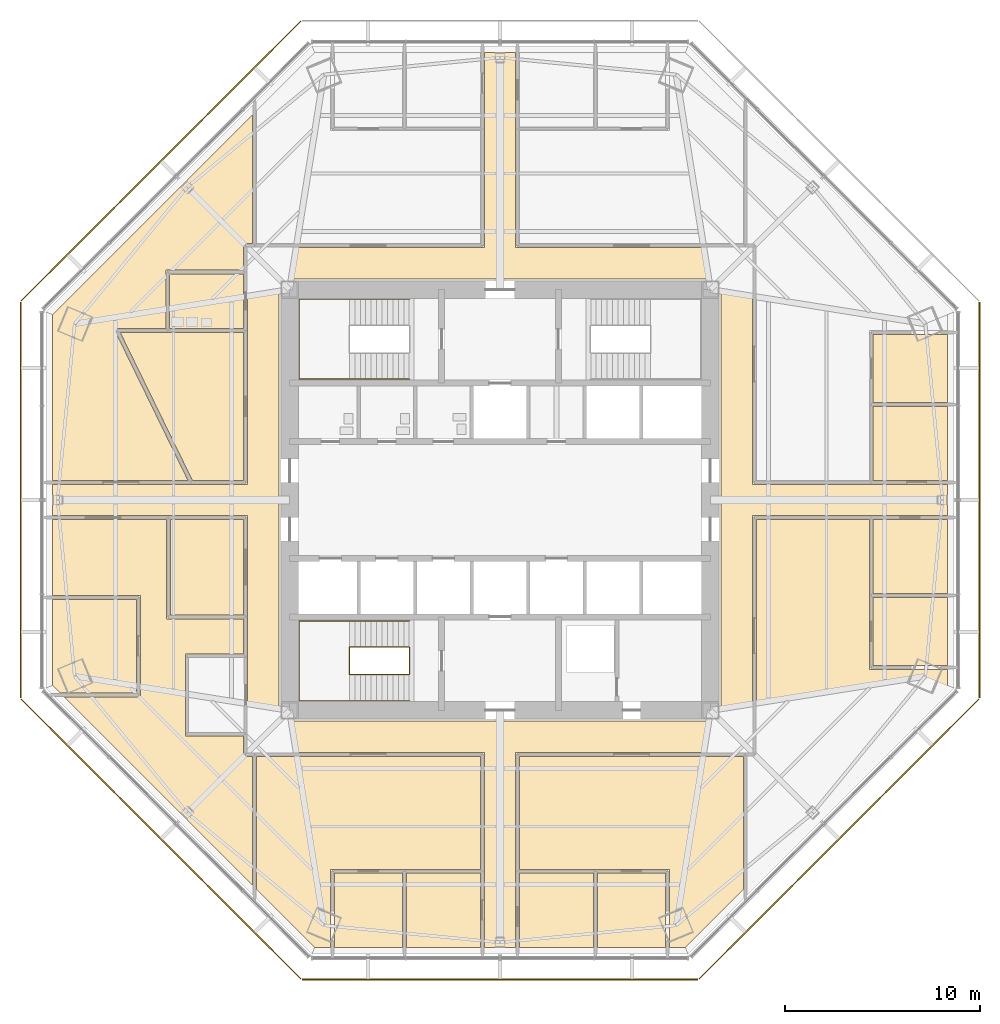
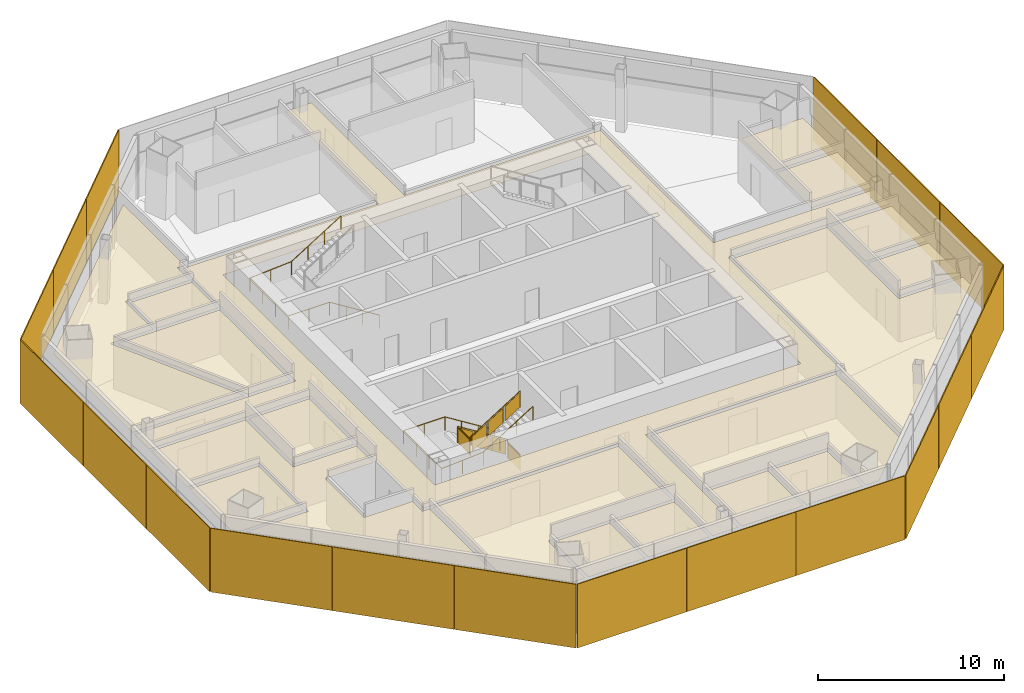
# One storey, part 13 of 15: 18 coverings, 18 shading devices, 3 railings.
"""IFC4 building model written with IfcOpenShell, lengths in metres."""

from ifc_helpers import new_model, si_unit, direction, frame, origin, origin_2d, place, context, subcontext, project, spatial, polyline, rectangle, circle, outline, extrude, source, transform, mapped, material, layer, layer_set, type_object, type_shapes, element, save


model = new_model("IFC4")

# Units and contexts
model_context = context("Model", 3, precision=1e-05, world=origin(), true_north=direction((0.0, 1.0)))
body_context = subcontext(model_context, "Body", "Model", "MODEL_VIEW")
ifc_project = project(units=[si_unit("LENGTHUNIT", "METRE"), si_unit("AREAUNIT", "SQUARE_METRE"), si_unit("VOLUMEUNIT", "CUBIC_METRE"), si_unit("PLANEANGLEUNIT", "RADIAN"), si_unit("MASSUNIT", "GRAM", prefix="KILO")], contexts=[model_context])

# Site, building, storey
site_placement = place(None, origin())
site = spatial("IfcSite", under=ifc_project, at=site_placement, CompositionType="ELEMENT")
building_placement = place(site_placement, origin())
building = spatial("IfcBuilding", under=site, at=building_placement, Name="Mashrafa Tower", CompositionType="ELEMENT")
storey_placement = place(building_placement, frame((0.0, 0.0, 159.60009765625)))
storey = spatial("IfcBuildingStorey", under=building, at=storey_placement, Name="L36", CompositionType="ELEMENT", Elevation=159.60009765625)

# Railings
ifc_material_1 = material(Name="Steel guard with glass infill", Category="steel")
railing_type_1 = type_object("IfcRailingType", Name="Stair guard 1100", PredefinedType="GUARDRAIL", material=ifc_material_1)
railing_1_placement = place(storey_placement, frame((-4.64990234375, -8.949951171875, 0.0)))
element("IfcRailing", 1, at=railing_1_placement, inside=storey, type_object=railing_type_1, Name="Stair S3 guard L36", PredefinedType="GUARDRAIL", context=body_context, shape_type="SweptSolid", body=[
    extrude(circle(Radius=0.02392578125, at=origin_2d()), frame((0.0, 0.0, 1.076171875), z_axis=(0.0, 1.0, 0.0), x_axis=(-1.0, 0.0, 0.0)), (0.0, 0.0, 1.0), 1.39990234375),
    extrude(circle(Radius=0.02392578125, at=origin_2d()), frame((0.0, 1.39990234375, 1.076171875), z_axis=(0.0, 0.0, 1.0), x_axis=(1.0, 0.0, 0.0)), (0.0, 0.0, 1.0), 0.1748046875),
    extrude(circle(Radius=0.02392578125, at=origin_2d()), frame((0.0, 1.39990234375, 1.2509765625), z_axis=(-0.847998304005, 0.0, 0.529998940003), x_axis=(0.0, -1.0, 0.0)), (0.0, 0.0, 1.0), 3.632080078125),
    extrude(circle(Radius=0.02392578125, at=origin_2d()), frame((-3.080078125, 1.39990234375, 3.17578125), z_axis=(0.0, -1.0, 0.0), x_axis=(1.0, 0.0, 0.0)), (0.0, 0.0, 1.0), 1.39990234375),
    extrude(circle(Radius=0.02392578125, at=origin_2d()), frame((-3.080078125, 0.0, 3.17578125), z_axis=(0.0, 0.0, 1.0), x_axis=(1.0, 0.0, 0.0)), (0.0, 0.0, 1.0), 0.175048828125),
    extrude(circle(Radius=0.02392578125, at=origin_2d()), frame((-3.080078125, 0.0, 3.35107421875), z_axis=(0.847998304005, 0.0, 0.529998940003), x_axis=(0.0, 1.0, 0.0)), (0.0, 0.0, 1.0), 3.632080078125),
    extrude(circle(Radius=0.02099609375, at=origin_2d()), origin(), (0.0, 0.0, 1.0), 1.052001953125),
    extrude(circle(Radius=0.02099609375, at=origin_2d()), frame((0.0, 1.39990234375, 0.0)), (0.0, 0.0, 1.0), 1.052001953125),
    extrude(circle(Radius=0.02099609375, at=origin_2d()), frame((0.0, 1.39990234375, 0.1748046875)), (0.0, 0.0, 1.0), 1.052001953125),
    extrude(circle(Radius=0.02099609375, at=origin_2d()), frame((-1.026611328125, 1.39990234375, 0.81640625)), (0.0, 0.0, 1.0), 1.052001953125),
    extrude(circle(Radius=0.02099609375, at=origin_2d()), frame((-2.053466796875, 1.39990234375, 1.458251953125)), (0.0, 0.0, 1.0), 1.052001953125),
    extrude(circle(Radius=0.02099609375, at=origin_2d()), frame((-3.080078125, 1.39990234375, 2.099853515625)), (0.0, 0.0, 1.0), 1.052001953125),
    extrude(circle(Radius=0.02099609375, at=origin_2d()), frame((-3.080078125, 0.0, 2.099853515625)), (0.0, 0.0, 1.0), 1.052001953125),
    extrude(circle(Radius=0.02099609375, at=origin_2d()), frame((-3.080078125, 0.0, 2.27490234375)), (0.0, 0.0, 1.0), 1.052001953125),
    extrude(circle(Radius=0.02099609375, at=origin_2d()), frame((-2.053466796875, 0.0, 2.91650390625)), (0.0, 0.0, 1.0), 1.052001953125),
    extrude(circle(Radius=0.02099609375, at=origin_2d()), frame((-1.026611328125, 0.0, 3.558349609375)), (0.0, 0.0, 1.0), 1.052001953125),
    extrude(circle(Radius=0.02099609375, at=origin_2d()), frame((0.0, 0.0, 4.199951171875)), (0.0, 0.0, 1.0), 1.052001953125),
    extrude(outline(polyline([(0.071044921875, 0.050048828125), (1.328857421875, 0.050048828125), (1.328857421875, 1.001953125), (0.071044921875, 1.001953125), (0.071044921875, 0.050048828125)])), frame((0.006103515625, 0.0, 0.0), z_axis=(1.0, 0.0, 0.0), x_axis=(0.0, 1.0, 0.0)), (0.0, 0.0, 1.0), 0.011962890625),
    extrude(outline(polyline([(0.071044921875, 0.094482421875), (0.955810546875, 0.647216796875), (0.955810546875, 1.599365234375), (0.071044921875, 1.04638671875), (0.071044921875, 0.094482421875)])), frame((0.0, 1.406005859375, 0.1748046875), z_axis=(0.0, 1.0, 0.0), x_axis=(-1.0, 0.0, 0.0)), (0.0, 0.0, 1.0), 0.011962890625),
    extrude(outline(polyline([(1.09765625, 0.736083984375), (1.982421875, 1.2890625), (1.982421875, 2.240966796875), (1.09765625, 1.68798828125), (1.09765625, 0.736083984375)])), frame((0.0, 1.406005859375, 0.1748046875), z_axis=(0.0, 1.0, 0.0), x_axis=(-1.0, 0.0, 0.0)), (0.0, 0.0, 1.0), 0.011962890625),
    extrude(outline(polyline([(2.124267578125, 1.377685546875), (3.009033203125, 1.9306640625), (3.009033203125, 2.882568359375), (2.124267578125, 2.329833984375), (2.124267578125, 1.377685546875)])), frame((0.0, 1.406005859375, 0.1748046875), z_axis=(0.0, 1.0, 0.0), x_axis=(-1.0, 0.0, 0.0)), (0.0, 0.0, 1.0), 0.011962890625),
    extrude(outline(polyline([(0.071044921875, 0.050048828125), (1.328857421875, 0.050048828125), (1.328857421875, 1.001953125), (0.071044921875, 1.001953125), (0.071044921875, 0.050048828125)])), frame((-3.086181640625, 1.39990234375, 2.099853515625), z_axis=(-1.0, 0.0, 0.0), x_axis=(0.0, -1.0, 0.0)), (0.0, 0.0, 1.0), 0.011962890625),
    extrude(outline(polyline([(0.071044921875, 0.094482421875), (0.955810546875, 0.647216796875), (0.955810546875, 1.599365234375), (0.071044921875, 1.04638671875), (0.071044921875, 0.094482421875)])), frame((-3.080078125, -0.006103515625, 2.27490234375), z_axis=(0.0, -1.0, 0.0), x_axis=(1.0, 0.0, 0.0)), (0.0, 0.0, 1.0), 0.011962890625),
    extrude(outline(polyline([(1.09765625, 0.736083984375), (1.982421875, 1.2890625), (1.982421875, 2.240966796875), (1.09765625, 1.68798828125), (1.09765625, 0.736083984375)])), frame((-3.080078125, -0.006103515625, 2.27490234375), z_axis=(0.0, -1.0, 0.0), x_axis=(1.0, 0.0, 0.0)), (0.0, 0.0, 1.0), 0.011962890625),
    extrude(outline(polyline([(2.124267578125, 1.377685546875), (3.009033203125, 1.9306640625), (3.009033203125, 2.882568359375), (2.124267578125, 2.329833984375), (2.124267578125, 1.377685546875)])), frame((-3.080078125, -0.006103515625, 2.27490234375), z_axis=(0.0, -1.0, 0.0), x_axis=(1.0, 0.0, 0.0)), (0.0, 0.0, 1.0), 0.011962890625),
])
ifc_material_2 = material(Name="Steel", Category="steel")
railing_type_2 = type_object("IfcRailingType", Name="Stair handrail 900", PredefinedType="HANDRAIL", material=ifc_material_2)
railing_2_placement = place(storey_placement, frame((-4.64990234375, 6.199951171875, 0.1748046875)))
element("IfcRailing", 2, at=railing_2_placement, inside=storey, type_object=railing_type_2, Name="Stair S1 handrail L36", PredefinedType="HANDRAIL", context=body_context, shape_type="SweptSolid", body=[
    extrude(circle(Radius=0.02392578125, at=origin_2d()), frame((0.0, 0.0, 0.8759765625), z_axis=(-0.847998304005, 0.0, 0.529998940003), x_axis=(0.0, -1.0, 0.0)), (0.0, 0.0, 1.0), 3.632080078125),
    extrude(circle(Radius=0.02392578125, at=origin_2d()), frame((-3.080078125, 0.0, 2.80078125), z_axis=(-1.0, 0.0, 0.0), x_axis=(0.0, -1.0, 0.0)), (0.0, 0.0, 1.0), 2.570068359375),
    extrude(circle(Radius=0.02392578125, at=origin_2d()), frame((-5.650146484375, 0.0, 2.80078125), z_axis=(0.0, 1.0, 0.0), x_axis=(-1.0, 0.0, 0.0)), (0.0, 0.0, 1.0), 4.10009765625),
    extrude(circle(Radius=0.02392578125, at=origin_2d()), frame((-5.650146484375, 4.10009765625, 2.80078125), z_axis=(0.997688514158, 0.0, 0.067953136188), x_axis=(0.0, 1.0, 0.0)), (0.0, 0.0, 1.0), 2.575927734375),
    extrude(circle(Radius=0.02392578125, at=origin_2d()), frame((-3.080078125, 4.10009765625, 2.97607421875), z_axis=(0.847998304005, 0.0, 0.529998940003), x_axis=(0.0, 1.0, 0.0)), (0.0, 0.0, 1.0), 3.632080078125),
    extrude(circle(Radius=0.02099609375, at=origin_2d()), origin(), (0.0, 0.0, 1.0), 0.851806640625),
    extrude(circle(Radius=0.02099609375, at=origin_2d()), frame((-1.026611328125, 0.0, 0.6416015625)), (0.0, 0.0, 1.0), 0.851806640625),
    extrude(circle(Radius=0.02099609375, at=origin_2d()), frame((-2.053466796875, 0.0, 1.283447265625)), (0.0, 0.0, 1.0), 0.851806640625),
    extrude(circle(Radius=0.02099609375, at=origin_2d()), frame((-3.080078125, 0.0, 1.925048828125)), (0.0, 0.0, 1.0), 0.851806640625),
    extrude(circle(Radius=0.02099609375, at=origin_2d()), frame((-4.365234375, 0.0, 1.925048828125)), (0.0, 0.0, 1.0), 0.851806640625),
    extrude(circle(Radius=0.02099609375, at=origin_2d()), frame((-5.650146484375, 0.0, 1.925048828125)), (0.0, 0.0, 1.0), 0.851806640625),
    extrude(circle(Radius=0.02099609375, at=origin_2d()), frame((-5.650146484375, 1.36669921875, 1.925048828125)), (0.0, 0.0, 1.0), 0.851806640625),
    extrude(circle(Radius=0.02099609375, at=origin_2d()), frame((-5.650146484375, 2.7333984375, 1.925048828125)), (0.0, 0.0, 1.0), 0.851806640625),
    extrude(circle(Radius=0.02099609375, at=origin_2d()), frame((-5.650146484375, 4.10009765625, 1.925048828125)), (0.0, 0.0, 1.0), 0.851806640625),
    extrude(circle(Radius=0.02099609375, at=origin_2d()), frame((-4.365234375, 4.10009765625, 2.0126953125)), (0.0, 0.0, 1.0), 0.851806640625),
    extrude(circle(Radius=0.02099609375, at=origin_2d()), frame((-3.080078125, 4.10009765625, 2.10009765625)), (0.0, 0.0, 1.0), 0.851806640625),
    extrude(circle(Radius=0.02099609375, at=origin_2d()), frame((-2.053466796875, 4.10009765625, 2.74169921875)), (0.0, 0.0, 1.0), 0.851806640625),
    extrude(circle(Radius=0.02099609375, at=origin_2d()), frame((-1.026611328125, 4.10009765625, 3.383544921875)), (0.0, 0.0, 1.0), 0.851806640625),
    extrude(circle(Radius=0.02099609375, at=origin_2d()), frame((0.0, 4.10009765625, 4.025146484375)), (0.0, 0.0, 1.0), 0.851806640625),
])
railing_3_placement = place(storey_placement, frame((-4.64990234375, -6.199951171875, 0.1748046875)))
element("IfcRailing", 3, at=railing_3_placement, inside=storey, type_object=railing_type_2, Name="Stair S3 handrail L36", PredefinedType="HANDRAIL", context=body_context, shape_type="SweptSolid", body=[
    extrude(circle(Radius=0.02392578125, at=origin_2d()), frame((0.0, 0.0, 0.8759765625), z_axis=(-0.847998304005, 0.0, 0.529998940003), x_axis=(0.0, -1.0, 0.0)), (0.0, 0.0, 1.0), 3.632080078125),
    extrude(circle(Radius=0.02392578125, at=origin_2d()), frame((-3.080078125, 0.0, 2.80078125), z_axis=(-1.0, 0.0, 0.0), x_axis=(0.0, -1.0, 0.0)), (0.0, 0.0, 1.0), 2.570068359375),
    extrude(circle(Radius=0.02392578125, at=origin_2d()), frame((-5.650146484375, 0.0, 2.80078125), z_axis=(0.0, -1.0, 0.0), x_axis=(1.0, 0.0, 0.0)), (0.0, 0.0, 1.0), 4.10009765625),
    extrude(circle(Radius=0.02392578125, at=origin_2d()), frame((-5.650146484375, -4.10009765625, 2.80078125), z_axis=(0.997688514158, 0.0, 0.067953136188), x_axis=(0.0, 1.0, 0.0)), (0.0, 0.0, 1.0), 2.575927734375),
    extrude(circle(Radius=0.02392578125, at=origin_2d()), frame((-3.080078125, -4.10009765625, 2.97607421875), z_axis=(0.847998304005, 0.0, 0.529998940003), x_axis=(0.0, 1.0, 0.0)), (0.0, 0.0, 1.0), 3.632080078125),
    extrude(circle(Radius=0.02099609375, at=origin_2d()), origin(), (0.0, 0.0, 1.0), 0.851806640625),
    extrude(circle(Radius=0.02099609375, at=origin_2d()), frame((-1.026611328125, 0.0, 0.6416015625)), (0.0, 0.0, 1.0), 0.851806640625),
    extrude(circle(Radius=0.02099609375, at=origin_2d()), frame((-2.053466796875, 0.0, 1.283447265625)), (0.0, 0.0, 1.0), 0.851806640625),
    extrude(circle(Radius=0.02099609375, at=origin_2d()), frame((-3.080078125, 0.0, 1.925048828125)), (0.0, 0.0, 1.0), 0.851806640625),
    extrude(circle(Radius=0.02099609375, at=origin_2d()), frame((-4.365234375, 0.0, 1.925048828125)), (0.0, 0.0, 1.0), 0.851806640625),
    extrude(circle(Radius=0.02099609375, at=origin_2d()), frame((-5.650146484375, 0.0, 1.925048828125)), (0.0, 0.0, 1.0), 0.851806640625),
    extrude(circle(Radius=0.02099609375, at=origin_2d()), frame((-5.650146484375, -1.36669921875, 1.925048828125)), (0.0, 0.0, 1.0), 0.851806640625),
    extrude(circle(Radius=0.02099609375, at=origin_2d()), frame((-5.650146484375, -2.7333984375, 1.925048828125)), (0.0, 0.0, 1.0), 0.851806640625),
    extrude(circle(Radius=0.02099609375, at=origin_2d()), frame((-5.650146484375, -4.10009765625, 1.925048828125)), (0.0, 0.0, 1.0), 0.851806640625),
    extrude(circle(Radius=0.02099609375, at=origin_2d()), frame((-4.365234375, -4.10009765625, 2.0126953125)), (0.0, 0.0, 1.0), 0.851806640625),
    extrude(circle(Radius=0.02099609375, at=origin_2d()), frame((-3.080078125, -4.10009765625, 2.10009765625)), (0.0, 0.0, 1.0), 0.851806640625),
    extrude(circle(Radius=0.02099609375, at=origin_2d()), frame((-2.053466796875, -4.10009765625, 2.74169921875)), (0.0, 0.0, 1.0), 0.851806640625),
    extrude(circle(Radius=0.02099609375, at=origin_2d()), frame((-1.026611328125, -4.10009765625, 3.383544921875)), (0.0, 0.0, 1.0), 0.851806640625),
    extrude(circle(Radius=0.02099609375, at=origin_2d()), frame((0.0, -4.10009765625, 4.025146484375)), (0.0, 0.0, 1.0), 0.851806640625),
])

# Coverings
ifc_material_3 = material(Name="Mineral fibre tile on suspension grid")
ifc_layer_1 = layer(ifc_material_3, 0.014892578125)
ifc_layer_set_1 = layer_set([ifc_layer_1], Name="Suspended ceiling mineral tile 15")
covering_type = type_object("IfcCoveringType", Name="Suspended ceiling mineral tile 15", PredefinedType="CEILING", material=ifc_layer_set_1)
covering_1_placement = place(storey_placement, frame((0.0, 0.0, 2.89990234375)))
element("IfcCovering", 4, at=covering_1_placement, inside=storey, type_object=covering_type, Name="Ceiling Office Corridor L36", PredefinedType="CEILING", context=body_context, shape_type="SweptSolid", body=[
    extrude(outline(polyline([(-12.949951171875, -12.949951171875), (-12.949951171875, -0.800048828125), (-22.949951171875, -0.800048828125), (-22.949951171875, 0.800048828125), (-12.949951171875, 0.800048828125), (-12.949951171875, 12.949951171875), (-0.800048828125, 12.949951171875), (-0.800048828125, 22.949951171875), (0.800048828125, 22.949951171875), (0.800048828125, 12.949951171875), (12.949951171875, 12.949951171875), (12.949951171875, 0.800048828125), (22.949951171875, 0.800048828125), (22.949951171875, -0.800048828125), (12.949951171875, -0.800048828125), (12.949951171875, -12.949951171875), (0.800048828125, -12.949951171875), (0.800048828125, -22.949951171875), (-0.800048828125, -22.949951171875), (-0.800048828125, -12.949951171875), (-12.949951171875, -12.949951171875)]), holes=[polyline([(11.35009765625, 11.35009765625), (-11.35009765625, 11.35009765625), (-11.35009765625, -11.35009765625), (11.35009765625, -11.35009765625), (11.35009765625, 11.35009765625)])]), origin(), (0.0, 0.0, 1.0), 0.014892578125),
])
covering_2_placement = place(storey_placement, frame((0.0, 0.0, 2.89990234375)))
element("IfcCovering", 5, at=covering_2_placement, inside=storey, type_object=covering_type, Name="Ceiling Musallah Prayer Room 36", PredefinedType="CEILING", context=body_context, shape_type="SweptSolid", body=[
    extrude(outline(polyline([(-15.783203125, 1.0), (-19.489990234375, 8.60009765625), (-13.14990234375, 8.60009765625), (-13.14990234375, 1.0), (-15.783203125, 1.0)])), origin(), (0.0, 0.0, 1.0), 0.014892578125),
])
covering_3_placement = place(storey_placement, frame((0.0, 0.0, 2.89990234375)))
element("IfcCovering", 6, at=covering_3_placement, inside=storey, type_object=covering_type, Name="Ceiling Ablution Room L36", PredefinedType="CEILING", context=body_context, shape_type="SweptSolid", body=[
    extrude(outline(polyline([(-16.949951171875, 8.800048828125), (-16.949951171875, 11.60009765625), (-13.14990234375, 11.60009765625), (-13.14990234375, 8.800048828125), (-16.949951171875, 8.800048828125)])), origin(), (0.0, 0.0, 1.0), 0.014892578125),
])
covering_4_placement = place(storey_placement, frame((0.0, 0.0, 2.89990234375)))
element("IfcCovering", 7, at=covering_4_placement, inside=storey, type_object=covering_type, Name="Ceiling Serviced Office 36-EA-1", PredefinedType="CEILING", context=body_context, shape_type="SweptSolid", body=[
    extrude(outline(polyline([(19.14990234375, 4.800048828125), (22.949951171875, 4.800048828125), (22.949951171875, 1.0), (19.14990234375, 1.0), (19.14990234375, 4.800048828125)])), origin(), (0.0, 0.0, 1.0), 0.014892578125),
])
covering_5_placement = place(storey_placement, frame((0.0, 0.0, 2.89990234375)))
element("IfcCovering", 8, at=covering_5_placement, inside=storey, type_object=covering_type, Name="Ceiling Serviced Office 36-NE1", PredefinedType="CEILING", context=body_context, shape_type="SweptSolid", body=[
    extrude(outline(polyline([(19.14990234375, 8.5), (22.949951171875, 8.5), (22.949951171875, 5.0), (19.14990234375, 5.0), (19.14990234375, 8.5)])), origin(), (0.0, 0.0, 1.0), 0.014892578125),
])
covering_6_placement = place(storey_placement, frame((0.0, 0.0, 2.89990234375)))
element("IfcCovering", 9, at=covering_6_placement, inside=storey, type_object=covering_type, Name="Ceiling Serviced Office 36-SE1", PredefinedType="CEILING", context=body_context, shape_type="SweptSolid", body=[
    extrude(outline(polyline([(19.14990234375, -5.0), (22.949951171875, -5.0), (22.949951171875, -8.5), (19.14990234375, -8.5), (19.14990234375, -5.0)])), origin(), (0.0, 0.0, 1.0), 0.014892578125),
])
covering_7_placement = place(storey_placement, frame((0.0, 0.0, 2.89990234375)))
element("IfcCovering", 10, at=covering_7_placement, inside=storey, type_object=covering_type, Name="Ceiling Serviced Office 36-EB-2", PredefinedType="CEILING", context=body_context, shape_type="SweptSolid", body=[
    extrude(outline(polyline([(19.14990234375, -1.0), (22.949951171875, -1.0), (22.949951171875, -4.800048828125), (19.14990234375, -4.800048828125), (19.14990234375, -1.0)])), origin(), (0.0, 0.0, 1.0), 0.014892578125),
])
covering_8_placement = place(storey_placement, frame((0.0, 0.0, 2.89990234375)))
element("IfcCovering", 11, at=covering_8_placement, inside=storey, type_object=covering_type, Name="Ceiling Serviced Office 36-SA-1", PredefinedType="CEILING", context=body_context, shape_type="SweptSolid", body=[
    extrude(outline(polyline([(1.0, -19.14990234375), (4.800048828125, -19.14990234375), (4.800048828125, -22.949951171875), (1.0, -22.949951171875), (1.0, -19.14990234375)])), origin(), (0.0, 0.0, 1.0), 0.014892578125),
])
covering_9_placement = place(storey_placement, frame((0.0, 0.0, 2.89990234375)))
element("IfcCovering", 12, at=covering_9_placement, inside=storey, type_object=covering_type, Name="Ceiling Serviced Office 36-SE2", PredefinedType="CEILING", context=body_context, shape_type="SweptSolid", body=[
    extrude(outline(polyline([(5.0, -19.14990234375), (8.5, -19.14990234375), (8.5, -22.949951171875), (5.0, -22.949951171875), (5.0, -19.14990234375)])), origin(), (0.0, 0.0, 1.0), 0.014892578125),
])
covering_10_placement = place(storey_placement, frame((0.0, 0.0, 2.89990234375)))
element("IfcCovering", 13, at=covering_10_placement, inside=storey, type_object=covering_type, Name="Ceiling Serviced Office 36-SW2", PredefinedType="CEILING", context=body_context, shape_type="SweptSolid", body=[
    extrude(outline(polyline([(-8.5, -19.14990234375), (-5.0, -19.14990234375), (-5.0, -22.949951171875), (-8.5, -22.949951171875), (-8.5, -19.14990234375)])), origin(), (0.0, 0.0, 1.0), 0.014892578125),
])
covering_11_placement = place(storey_placement, frame((0.0, 0.0, 2.89990234375)))
element("IfcCovering", 14, at=covering_11_placement, inside=storey, type_object=covering_type, Name="Ceiling Serviced Office 36-SB-2", PredefinedType="CEILING", context=body_context, shape_type="SweptSolid", body=[
    extrude(outline(polyline([(-4.800048828125, -19.14990234375), (-1.0, -19.14990234375), (-1.0, -22.949951171875), (-4.800048828125, -22.949951171875), (-4.800048828125, -19.14990234375)])), origin(), (0.0, 0.0, 1.0), 0.014892578125),
])
covering_12_placement = place(storey_placement, frame((0.0, 0.0, 2.89990234375)))
element("IfcCovering", 15, at=covering_12_placement, inside=storey, type_object=covering_type, Name="Ceiling Meeting Room 36-SW1", PredefinedType="CEILING", context=body_context, shape_type="SweptSolid", body=[
    extrude(outline(polyline([(-18.64990234375, -5.10009765625), (-18.64990234375, -9.89990234375), (-22.555908203125, -9.89990234375), (-22.949951171875, -9.506103515625), (-22.949951171875, -5.10009765625), (-18.64990234375, -5.10009765625)])), origin(), (0.0, 0.0, 1.0), 0.014892578125),
])
covering_13_placement = place(storey_placement, frame((0.0, 0.0, 2.89990234375)))
element("IfcCovering", 16, at=covering_13_placement, inside=storey, type_object=covering_type, Name="Ceiling Business Centre Reception 36", PredefinedType="CEILING", context=body_context, shape_type="SweptSolid", body=[
    extrude(outline(polyline([(-16.89990234375, -1.0), (-13.14990234375, -1.0), (-13.14990234375, -5.89990234375), (-16.89990234375, -5.89990234375), (-16.89990234375, -1.0)])), origin(), (0.0, 0.0, 1.0), 0.014892578125),
])
covering_14_placement = place(storey_placement, frame((0.0, 0.0, 2.89990234375)))
element("IfcCovering", 17, at=covering_14_placement, inside=storey, type_object=covering_type, Name="Ceiling Business Centre Suite 36-NW1", PredefinedType="CEILING", context=body_context, shape_type="SweptSolid", body=[
    extrude(outline(polyline([(-22.949951171875, 1.0), (-22.949951171875, 9.506103515625), (-12.699951171875, 19.756103515625), (-12.699951171875, 13.14990234375), (-13.14990234375, 13.14990234375), (-13.14990234375, 11.800048828125), (-17.14990234375, 11.800048828125), (-17.14990234375, 8.800048828125), (-19.81005859375, 8.800048828125), (-16.005615234375, 1.0), (-22.949951171875, 1.0)])), origin(), (0.0, 0.0, 1.0), 0.014892578125),
])
covering_15_placement = place(storey_placement, frame((0.0, 0.0, 2.89990234375)))
element("IfcCovering", 18, at=covering_15_placement, inside=storey, type_object=covering_type, Name="Ceiling Business Centre Suite 36-SW1", PredefinedType="CEILING", context=body_context, shape_type="SweptSolid", body=[
    extrude(outline(polyline([(-12.699951171875, -19.756103515625), (-22.35595703125, -10.10009765625), (-18.449951171875, -10.10009765625), (-18.449951171875, -4.89990234375), (-22.949951171875, -4.89990234375), (-22.949951171875, -1.0), (-17.10009765625, -1.0), (-17.10009765625, -6.10009765625), (-13.14990234375, -6.10009765625), (-13.14990234375, -7.89990234375), (-16.14990234375, -7.89990234375), (-16.14990234375, -12.10009765625), (-13.14990234375, -12.10009765625), (-13.14990234375, -13.14990234375), (-12.699951171875, -13.14990234375), (-12.699951171875, -19.756103515625)])), origin(), (0.0, 0.0, 1.0), 0.014892578125),
])
covering_16_placement = place(storey_placement, frame((0.0, 0.0, 2.89990234375)))
element("IfcCovering", 19, at=covering_16_placement, inside=storey, type_object=covering_type, Name="Ceiling Business Centre Lounge 36-SW2", PredefinedType="CEILING", context=body_context, shape_type="SweptSolid", body=[
    extrude(outline(polyline([(-8.699951171875, -22.949951171875), (-9.506103515625, -22.949951171875), (-12.5, -19.9560546875), (-12.5, -13.14990234375), (-1.0, -13.14990234375), (-1.0, -18.949951171875), (-8.699951171875, -18.949951171875), (-8.699951171875, -22.949951171875)])), origin(), (0.0, 0.0, 1.0), 0.014892578125),
])
covering_17_placement = place(storey_placement, frame((0.0, 0.0, 2.89990234375)))
element("IfcCovering", 20, at=covering_17_placement, inside=storey, type_object=covering_type, Name="Ceiling Business Centre Suite 36-SE1", PredefinedType="CEILING", context=body_context, shape_type="SweptSolid", body=[
    extrude(outline(polyline([(22.949951171875, -8.699951171875), (22.949951171875, -9.506103515625), (12.699951171875, -19.756103515625), (12.699951171875, -13.14990234375), (13.14990234375, -13.14990234375), (13.14990234375, -1.0), (18.949951171875, -1.0), (18.949951171875, -8.699951171875), (22.949951171875, -8.699951171875)])), origin(), (0.0, 0.0, 1.0), 0.014892578125),
])
covering_18_placement = place(storey_placement, frame((0.0, 0.0, 2.89990234375)))
element("IfcCovering", 21, at=covering_18_placement, inside=storey, type_object=covering_type, Name="Ceiling Business Centre Lounge 36-SE2", PredefinedType="CEILING", context=body_context, shape_type="SweptSolid", body=[
    extrude(outline(polyline([(12.5, -13.14990234375), (12.5, -19.9560546875), (9.506103515625, -22.949951171875), (8.699951171875, -22.949951171875), (8.699951171875, -18.949951171875), (1.0, -18.949951171875), (1.0, -13.14990234375), (12.5, -13.14990234375)])), origin(), (0.0, 0.0, 1.0), 0.014892578125),
])

# Shading devices
ifc_material_4 = material(Name="Perforated aluminium plate, eight-point star pattern", Category="aluminium")
ifc_layer_2 = layer(ifc_material_4, 0.06005859375)
ifc_layer_set_2 = layer_set([ifc_layer_2], Name="Mashrabiya screen panel office zone 2, 40 percent open")
shading_device_type = type_object("IfcShadingDeviceType", Name="Mashrabiya screen panel office zone 2, 40 percent open", PredefinedType="SHUTTER", material=ifc_layer_set_2)
shared_shape = source(origin(), body_context, "Body", "SweptSolid", [
    extrude(rectangle(XDim=6.758056640625, YDim=0.06005859375, at=origin_2d()), origin(), (0.0, 0.0, 1.0), 4.179931640625),
])
type_shapes(shading_device_type, [shared_shape])
for number, where, z_axis, x_axis, name in (
    (22, (24.599853515625, -6.778076171875, -0.14990234375), (0.0, 0.0, 1.0), (0.0, 1.0, 0.0), "Mashrabiya screen L36 east 1"),
    (23, (24.599853515625, 0.0, -0.14990234375), (0.0, 0.0, 1.0), (0.0, 1.0, 0.0), "Mashrabiya screen L36 east 2"),
    (24, (24.599853515625, 6.778076171875, -0.14990234375), (0.0, 0.0, 1.0), (0.0, 1.0, 0.0), "Mashrabiya screen L36 east 3"),
    (25, (-12.601806640625, 22.1875, -0.14990234375), (0.0, 0.0, 1.0), (-0.707106781187, -0.707106781187, 0.0), "Mashrabiya screen L36 north-west 1"),
    (26, (-17.394775390625, 17.394775390625, -0.14990234375), (0.0, 0.0, 1.0), (-0.707106781187, -0.707106781187, 0.0), "Mashrabiya screen L36 north-west 2"),
    (27, (-22.1875, 12.601806640625, -0.14990234375), (0.0, 0.0, 1.0), (-0.707106781187, -0.707106781187, 0.0), "Mashrabiya screen L36 north-west 3"),
    (28, (-24.599853515625, 6.778076171875, -0.14990234375), (0.0, 0.0, 1.0), (0.0, -1.0, 0.0), "Mashrabiya screen L36 west 1"),
    (29, (-24.599853515625, 0.0, -0.14990234375), (0.0, 0.0, 1.0), (0.0, -1.0, 0.0), "Mashrabiya screen L36 west 2"),
    (30, (-24.599853515625, -6.778076171875, -0.14990234375), (0.0, 0.0, 1.0), (0.0, -1.0, 0.0), "Mashrabiya screen L36 west 3"),
    (31, (-22.1875, -12.601806640625, -0.14990234375), (0.0, 0.0, 1.0), (0.707106781187, -0.707106781187, 0.0), "Mashrabiya screen L36 south-west 1"),
    (32, (-17.394775390625, -17.394775390625, -0.14990234375), (0.0, 0.0, 1.0), (0.707106781187, -0.707106781187, 0.0), "Mashrabiya screen L36 south-west 2"),
    (33, (-12.601806640625, -22.1875, -0.14990234375), (0.0, 0.0, 1.0), (0.707106781187, -0.707106781187, 0.0), "Mashrabiya screen L36 south-west 3"),
    (34, (-6.778076171875, -24.599853515625, -0.14990234375), (0.0, 0.0, 1.0), (1.0, 0.0, 0.0), "Mashrabiya screen L36 south 1"),
    (35, (0.0, -24.599853515625, -0.14990234375), (0.0, 0.0, 1.0), (1.0, 0.0, 0.0), "Mashrabiya screen L36 south 2"),
    (36, (6.778076171875, -24.599853515625, -0.14990234375), (0.0, 0.0, 1.0), (1.0, 0.0, 0.0), "Mashrabiya screen L36 south 3"),
    (37, (12.601806640625, -22.1875, -0.14990234375), (0.0, 0.0, 1.0), (0.707106781187, 0.707106781187, 0.0), "Mashrabiya screen L36 south-east 1"),
    (38, (17.394775390625, -17.394775390625, -0.14990234375), (0.0, 0.0, 1.0), (0.707106781187, 0.707106781187, 0.0), "Mashrabiya screen L36 south-east 2"),
    (39, (22.1875, -12.601806640625, -0.14990234375), (0.0, 0.0, 1.0), (0.707106781187, 0.707106781187, 0.0), "Mashrabiya screen L36 south-east 3"),
):
    element("IfcShadingDevice", number, at=place(storey_placement, frame(where, z_axis=z_axis, x_axis=x_axis)), inside=storey, type_object=shading_device_type, Name=name, PredefinedType="SHUTTER", context=body_context, shape_type="MappedRepresentation", body=[
        mapped(shared_shape, transform((0.0, 0.0, 0.0))),
    ])

save(model, "model.ifc")
